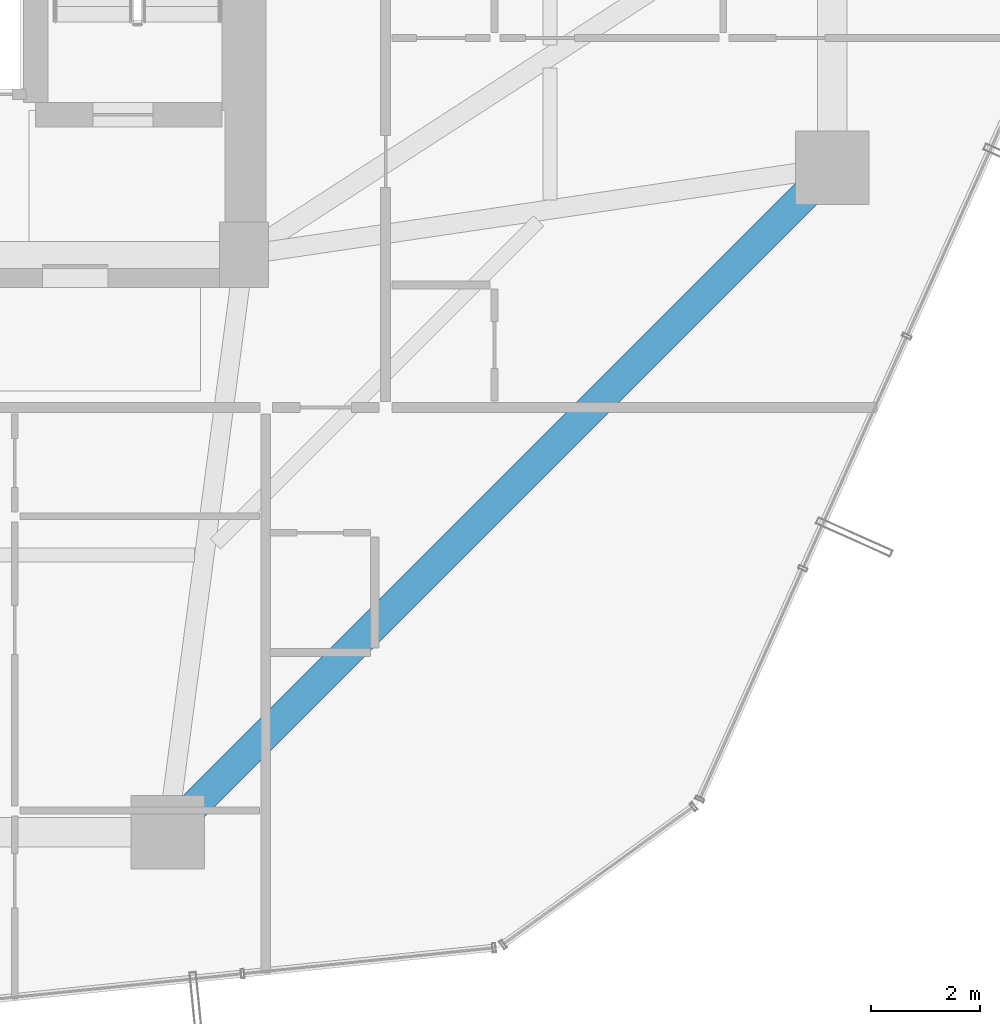
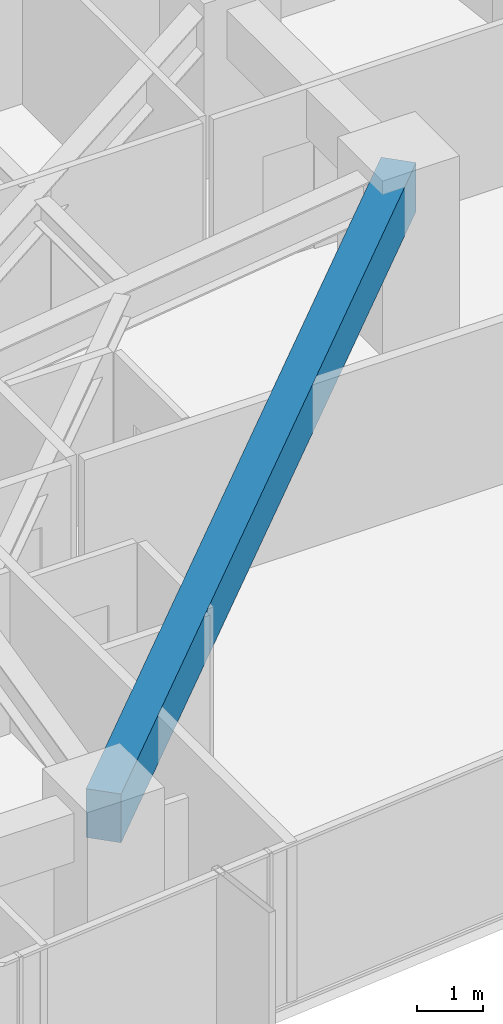
# One storey, part 15 of 37: 1 beam.
"""IFC4 building model written with IfcOpenShell, lengths in metres."""

from ifc_helpers import new_model, si_unit, direction, frame, origin, origin_2d, place, context, subcontext, project, spatial, rectangle, extrude, material, material_profile, profile_set, type_object, element, save


model = new_model("IFC4")

# Units and contexts
model_context = context("Model", 3, precision=1e-05, world=origin(), true_north=direction((0.0, 1.0)))
body_context = subcontext(model_context, "Body", "Model", "MODEL_VIEW")
ifc_project = project(units=[si_unit("LENGTHUNIT", "METRE"), si_unit("AREAUNIT", "SQUARE_METRE"), si_unit("VOLUMEUNIT", "CUBIC_METRE"), si_unit("PLANEANGLEUNIT", "RADIAN"), si_unit("MASSUNIT", "GRAM", prefix="KILO")], contexts=[model_context])

# Site, building, storey
site_placement = place(None, origin())
site = spatial("IfcSite", under=ifc_project, at=site_placement, CompositionType="ELEMENT")
building_placement = place(site_placement, origin())
building = spatial("IfcBuilding", under=site, at=building_placement, Name="Veraguas Prism Commons", CompositionType="ELEMENT")
storey_placement = place(building_placement, frame((0.0, 0.0, 43.550048828125)))
storey = spatial("IfcBuildingStorey", under=building, at=storey_placement, Name="L11", CompositionType="ELEMENT", Elevation=43.550048828125)

# Beam
ifc_material = material(Name="Concrete C50/60", Category="concrete")
ifc_material_profile = material_profile(ifc_material, rectangle(XDim=0.550048828125, YDim=0.89990234375, at=origin_2d()), Name="RC550X900")
ifc_profile_set = profile_set([ifc_material_profile], Name="Concrete C50/60")
beam_type = type_object("IfcBeamType", Name="Perimeter Spandrel Lower RC 550x900", PredefinedType="SPANDREL", material=ifc_profile_set)
beam_placement = place(storey_placement, frame((29.39990234375, 6.39990234375, 2.550048828125), z_axis=(0.707106781187, 0.707106781187, 0.0), x_axis=(-0.707106781187, 0.707106781187, 0.0)))
element("IfcBeam", 1, at=beam_placement, inside=storey, type_object=beam_type, Name="Perimeter Spandrel Beam L11-SP12", PredefinedType="SPANDREL", context=body_context, shape_type="SweptSolid", body=[
    extrude(rectangle(XDim=0.550048828125, YDim=0.89990234375, at=origin_2d()), origin(), (0.0, 0.0, 1.0), 17.253662109375),
])

save(model, "model.ifc")
